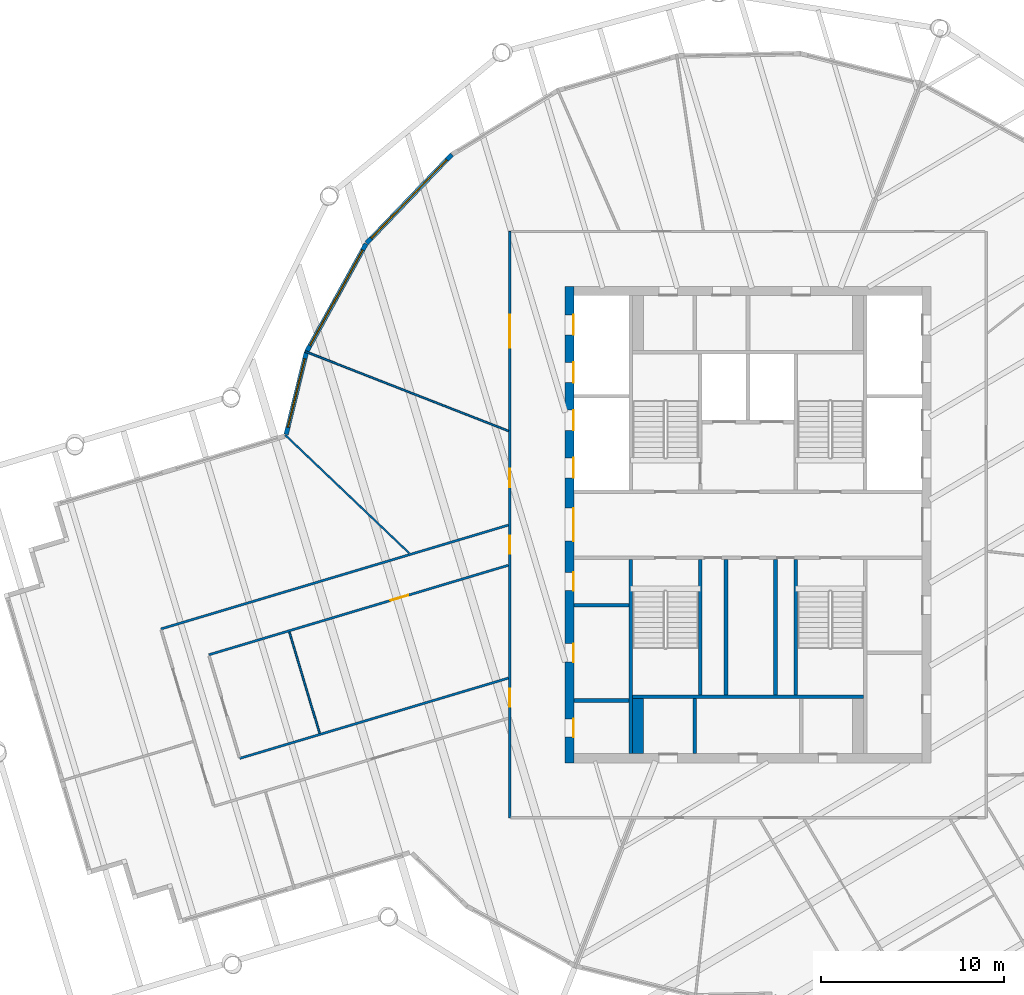
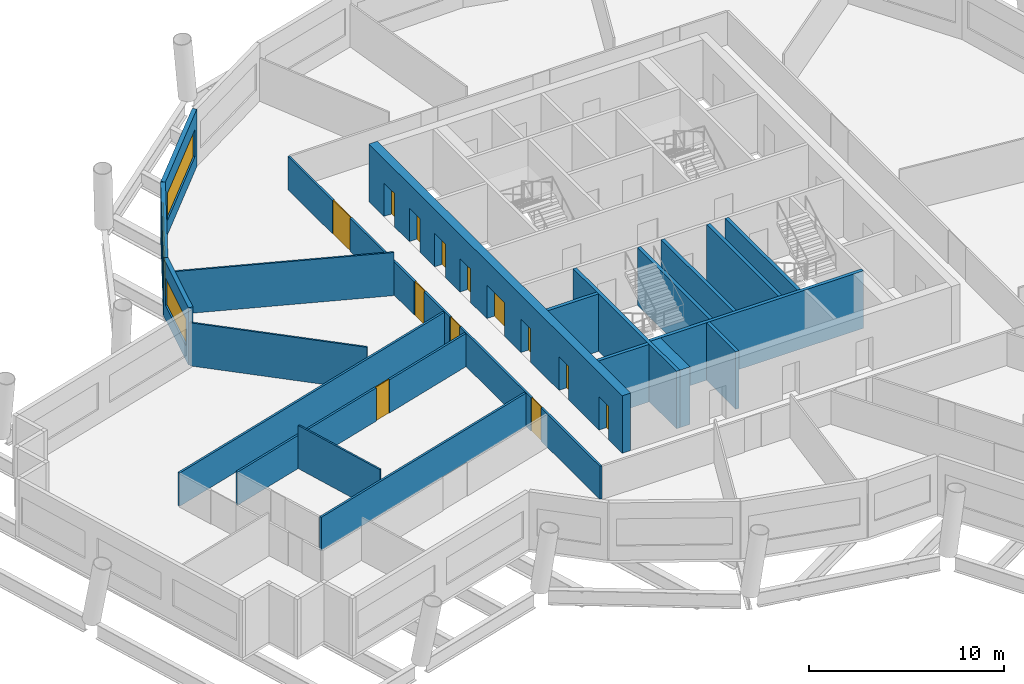
# One storey, part 4 of 11: 21 walls, 13 doors, 3 windows, 16 openings.
"""IFC4 building model written with IfcOpenShell, lengths in metres."""

from ifc_helpers import new_model, si_unit, direction, frame, frame_2d, origin, place, context, subcontext, project, spatial, rectangle, extrude, material, layer, layer_set, type_object, element, fill, save


model = new_model("IFC4")

# Units and contexts
model_context = context("Model", 3, precision=1e-05, world=origin(), true_north=direction((0.0, 1.0)))
body_context = subcontext(model_context, "Body", "Model", "MODEL_VIEW")
ifc_project = project(units=[si_unit("LENGTHUNIT", "METRE"), si_unit("AREAUNIT", "SQUARE_METRE"), si_unit("VOLUMEUNIT", "CUBIC_METRE"), si_unit("PLANEANGLEUNIT", "RADIAN"), si_unit("MASSUNIT", "GRAM", prefix="KILO")], contexts=[model_context])

# Site, building, storey
site_placement = place(None, origin())
site = spatial("IfcSite", under=ifc_project, at=site_placement, CompositionType="ELEMENT")
building_placement = place(site_placement, origin())
building = spatial("IfcBuilding", under=site, at=building_placement, Name="Tarsis Ring Headquarters", CompositionType="ELEMENT")
storey_placement = place(building_placement, frame((0.0, 0.0, 350.89990234375)))
storey = spatial("IfcBuildingStorey", under=building, at=storey_placement, Name="L83", CompositionType="ELEMENT", Elevation=350.89990234375)

# Walls
ifc_material_1 = material(Name="Blockwork", Category="masonry")
ifc_layer_1 = layer(ifc_material_1, 0.199951171875)
ifc_layer_set_1 = layer_set([ifc_layer_1], Name="Core blockwork wall 200")
wall_type_1 = type_object("IfcWallType", Name="Core blockwork wall 200", PredefinedType="PARTITIONING", material=ifc_layer_set_1)
for number, where, z_axis, x_axis, name in (
    (1, (-9.5, -9.60009765625, 0.0), (0.0, 0.0, 1.0), (1.0, 0.0, 0.0), "Core partition WD1"),
    (2, (-9.5, -4.39990234375, 0.0), (0.0, 0.0, 1.0), (1.0, 0.0, 0.0), "Core partition WD3"),
    (3, (-2.89990234375, -12.5, 0.0), (0.0, 0.0, 1.0), (0.0, 1.0, 0.0), "Core partition SD1"),
):
    element("IfcWall", number, at=place(storey_placement, frame(where, z_axis=z_axis, x_axis=x_axis)), inside=storey, type_object=wall_type_1, Name=name, PredefinedType="PARTITIONING", context=body_context, shape_type="SweptSolid", body=[
        extrude(rectangle(XDim=3.0, YDim=0.199951171875, at=frame_2d((1.5, 0.0))), origin(), (0.0, 0.0, 1.0), 3.60009765625),
    ])
for number, where, z_axis, x_axis, name in (
    (4, (-1.199951171875, -9.300048828125, 0.0), (0.0, 0.0, 1.0), (0.0, 1.0, 0.0), "Core partition SV1"),
    (5, (1.5, -9.300048828125, 0.0), (0.0, 0.0, 1.0), (0.0, 1.0, 0.0), "Core partition SV2"),
):
    element("IfcWall", number, at=place(storey_placement, frame(where, z_axis=z_axis, x_axis=x_axis)), inside=storey, type_object=wall_type_1, Name=name, PredefinedType="PARTITIONING", context=body_context, shape_type="SweptSolid", body=[
        extrude(rectangle(XDim=7.400146484375, YDim=0.199951171875, at=frame_2d((3.7001953125, 0.0))), origin(), (0.0, 0.0, 1.0), 3.60009765625),
    ])

# Wall, openings, doors
ifc_material_2 = material(Name="Concrete C50/60", Category="concrete")
ifc_layer_2 = layer(ifc_material_2, 0.5)
ifc_layer_set_2 = layer_set([ifc_layer_2], Name="Core wall 500 C50/60")
wall_type_2 = type_object("IfcWallType", Name="Core wall 500 C50/60", PredefinedType="SHEAR", material=ifc_layer_set_2)
wall_1_placement = place(storey_placement, frame((-9.75, -13.0, 0.0), z_axis=(0.0, 0.0, 1.0), x_axis=(0.0, 1.0, 0.0)))
wall_1 = element("IfcWall", 6, at=wall_1_placement, inside=storey, type_object=wall_type_2, Name="Core wall OW", PredefinedType="SHEAR", context=body_context, shape_type="SweptSolid", body=[
    extrude(rectangle(XDim=26.0, YDim=0.5, at=frame_2d((13.0, 0.0))), origin(), (0.0, 0.0, 1.0), 3.60009765625),
])
opening_1_placement = place(wall_1_placement, frame((1.39990234375, 0.0, 0.0)))
opening_1 = element("IfcOpeningElement", 7, at=opening_1_placement, cuts=wall_1, Name="Opening L83-C01", PredefinedType="OPENING", context=body_context, shape_type="SweptSolid", body=[
    extrude(rectangle(XDim=1.0, YDim=2.10009765625, at=frame_2d((0.5, 1.050048828125))), frame((0.0, 0.260009765625, 0.0), z_axis=(0.0, -1.0, 0.0), x_axis=(1.0, 0.0, 0.0)), (0.0, 0.0, 1.0), 0.52001953125),
])
opening_2_placement = place(wall_1_placement, frame((5.5, 0.0, 0.0)))
opening_2 = element("IfcOpeningElement", 8, at=opening_2_placement, cuts=wall_1, Name="Opening L83-C02", PredefinedType="OPENING", context=body_context, shape_type="SweptSolid", body=[
    extrude(rectangle(XDim=1.0, YDim=2.10009765625, at=frame_2d((0.5, 1.050048828125))), frame((0.0, 0.260009765625, 0.0), z_axis=(0.0, -1.0, 0.0), x_axis=(1.0, 0.0, 0.0)), (0.0, 0.0, 1.0), 0.52001953125),
])
opening_3_placement = place(wall_1_placement, frame((9.39990234375, 0.0, 0.0)))
opening_3 = element("IfcOpeningElement", 9, at=opening_3_placement, cuts=wall_1, Name="Opening L83-C03", PredefinedType="OPENING", context=body_context, shape_type="SweptSolid", body=[
    extrude(rectangle(XDim=1.0, YDim=2.10009765625, at=frame_2d((0.5, 1.050048828125))), frame((0.0, 0.260009765625, 0.0), z_axis=(0.0, -1.0, 0.0), x_axis=(1.0, 0.0, 0.0)), (0.0, 0.0, 1.0), 0.52001953125),
])
opening_4_placement = place(wall_1_placement, frame((12.10009765625, 0.0, 0.0)))
opening_4 = element("IfcOpeningElement", 10, at=opening_4_placement, cuts=wall_1, Name="Opening L83-C04", PredefinedType="OPENING", context=body_context, shape_type="SweptSolid", body=[
    extrude(rectangle(XDim=1.800048828125, YDim=2.10009765625, at=frame_2d((0.89990234375, 1.050048828125))), frame((0.0, 0.260009765625, 0.0), z_axis=(0.0, -1.0, 0.0), x_axis=(1.0, 0.0, 0.0)), (0.0, 0.0, 1.0), 0.52001953125),
])
opening_5_placement = place(wall_1_placement, frame((15.550048828125, 0.0, 0.0)))
opening_5 = element("IfcOpeningElement", 11, at=opening_5_placement, cuts=wall_1, Name="Opening LD-HR1", PredefinedType="OPENING", context=body_context, shape_type="SweptSolid", body=[
    extrude(rectangle(XDim=1.10009765625, YDim=2.10009765625, at=frame_2d((0.550048828125, 1.050048828125))), frame((0.0, 0.260009765625, 0.0), z_axis=(0.0, -1.0, 0.0), x_axis=(1.0, 0.0, 0.0)), (0.0, 0.0, 1.0), 0.52001953125),
])
opening_6_placement = place(wall_1_placement, frame((18.14990234375, 0.0, 0.0)))
opening_6 = element("IfcOpeningElement", 12, at=opening_6_placement, cuts=wall_1, Name="Opening LD-HR2", PredefinedType="OPENING", context=body_context, shape_type="SweptSolid", body=[
    extrude(rectangle(XDim=1.10009765625, YDim=2.10009765625, at=frame_2d((0.550048828125, 1.050048828125))), frame((0.0, 0.260009765625, 0.0), z_axis=(0.0, -1.0, 0.0), x_axis=(1.0, 0.0, 0.0)), (0.0, 0.0, 1.0), 0.52001953125),
])
opening_7_placement = place(wall_1_placement, frame((20.75, 0.0, 0.0)))
opening_7 = element("IfcOpeningElement", 13, at=opening_7_placement, cuts=wall_1, Name="Opening LD-HR3", PredefinedType="OPENING", context=body_context, shape_type="SweptSolid", body=[
    extrude(rectangle(XDim=1.10009765625, YDim=2.10009765625, at=frame_2d((0.550048828125, 1.050048828125))), frame((0.0, 0.260009765625, 0.0), z_axis=(0.0, -1.0, 0.0), x_axis=(1.0, 0.0, 0.0)), (0.0, 0.0, 1.0), 0.52001953125),
])
opening_8_placement = place(wall_1_placement, frame((23.35009765625, 0.0, 0.0)))
opening_8 = element("IfcOpeningElement", 14, at=opening_8_placement, cuts=wall_1, Name="Opening LD-HR4", PredefinedType="OPENING", context=body_context, shape_type="SweptSolid", body=[
    extrude(rectangle(XDim=1.10009765625, YDim=2.10009765625, at=frame_2d((0.550048828125, 1.050048828125))), frame((0.0, 0.260009765625, 0.0), z_axis=(0.0, -1.0, 0.0), x_axis=(1.0, 0.0, 0.0)), (0.0, 0.0, 1.0), 0.52001953125),
])
ifc_material_3 = material(Name="Steel S355", Category="steel")
door_type_1 = type_object("IfcDoorType", Name="Core entry door 1800x2100", OperationType="DOUBLE_DOOR_SINGLE_SWING", PredefinedType="DOOR", material=ifc_material_3)
door_1_placement = place(opening_4_placement, origin())
door_1 = element("IfcDoor", 15, at=door_1_placement, inside=storey, type_object=door_type_1, Name="Core entry door L83", OperationType="DOUBLE_DOOR_SINGLE_SWING", OverallHeight=2.10009765625, OverallWidth=1.800048828125, PredefinedType="DOOR", context=body_context, shape_type="SweptSolid", body=[
    extrude(rectangle(XDim=1.800048828125, YDim=2.10009765625, at=frame_2d((0.89990234375, 1.050048828125))), frame((0.0, -0.2001953125, 0.0), z_axis=(0.0, -1.0, 0.0), x_axis=(1.0, 0.0, 0.0)), (0.0, 0.0, 1.0), 0.050048828125),
])
fill(opening_4, door_1)
door_type_2 = type_object("IfcDoorType", Name="Core room door 1000x2100", OperationType="SINGLE_SWING_LEFT", PredefinedType="DOOR", material=ifc_material_3)
door_2_placement = place(opening_1_placement, origin())
door_2 = element("IfcDoor", 16, at=door_2_placement, inside=storey, type_object=door_type_2, Name="Core room door L83", OperationType="SINGLE_SWING_LEFT", OverallHeight=2.10009765625, OverallWidth=1.0, PredefinedType="DOOR", context=body_context, shape_type="SweptSolid", body=[
    extrude(rectangle(XDim=1.0, YDim=2.10009765625, at=frame_2d((0.5, 1.050048828125))), frame((0.0, -0.2001953125, 0.0), z_axis=(0.0, -1.0, 0.0), x_axis=(1.0, 0.0, 0.0)), (0.0, 0.0, 1.0), 0.050048828125),
])
fill(opening_1, door_2)
door_3_placement = place(opening_2_placement, origin())
door_3 = element("IfcDoor", 17, at=door_3_placement, inside=storey, type_object=door_type_2, Name="Core room door L83", OperationType="SINGLE_SWING_LEFT", OverallHeight=2.10009765625, OverallWidth=1.0, PredefinedType="DOOR", context=body_context, shape_type="SweptSolid", body=[
    extrude(rectangle(XDim=1.0, YDim=2.10009765625, at=frame_2d((0.5, 1.050048828125))), frame((0.0, -0.2001953125, 0.0), z_axis=(0.0, -1.0, 0.0), x_axis=(1.0, 0.0, 0.0)), (0.0, 0.0, 1.0), 0.050048828125),
])
fill(opening_2, door_3)
door_4_placement = place(opening_3_placement, origin())
door_4 = element("IfcDoor", 18, at=door_4_placement, inside=storey, type_object=door_type_2, Name="Core room door L83", OperationType="SINGLE_SWING_LEFT", OverallHeight=2.10009765625, OverallWidth=1.0, PredefinedType="DOOR", context=body_context, shape_type="SweptSolid", body=[
    extrude(rectangle(XDim=1.0, YDim=2.10009765625, at=frame_2d((0.5, 1.050048828125))), frame((0.0, -0.2001953125, 0.0), z_axis=(0.0, -1.0, 0.0), x_axis=(1.0, 0.0, 0.0)), (0.0, 0.0, 1.0), 0.050048828125),
])
fill(opening_3, door_4)
door_type_3 = type_object("IfcDoorType", Name="Landing door 1100x2100", OperationType="SLIDING_TO_LEFT", PredefinedType="DOOR", material=ifc_material_3)
door_5_placement = place(opening_5_placement, origin())
door_5 = element("IfcDoor", 19, at=door_5_placement, inside=storey, type_object=door_type_3, Name="Landing door HR1 L83", OperationType="SLIDING_TO_LEFT", OverallHeight=2.10009765625, OverallWidth=1.10009765625, PredefinedType="DOOR", context=body_context, shape_type="SweptSolid", body=[
    extrude(rectangle(XDim=1.10009765625, YDim=2.10009765625, at=frame_2d((0.550048828125, 1.050048828125))), frame((0.0, -0.2001953125, 0.0), z_axis=(0.0, -1.0, 0.0), x_axis=(1.0, 0.0, 0.0)), (0.0, 0.0, 1.0), 0.050048828125),
])
fill(opening_5, door_5)
door_6_placement = place(opening_6_placement, origin())
door_6 = element("IfcDoor", 20, at=door_6_placement, inside=storey, type_object=door_type_3, Name="Landing door HR2 L83", OperationType="SLIDING_TO_LEFT", OverallHeight=2.10009765625, OverallWidth=1.10009765625, PredefinedType="DOOR", context=body_context, shape_type="SweptSolid", body=[
    extrude(rectangle(XDim=1.10009765625, YDim=2.10009765625, at=frame_2d((0.550048828125, 1.050048828125))), frame((0.0, -0.2001953125, 0.0), z_axis=(0.0, -1.0, 0.0), x_axis=(1.0, 0.0, 0.0)), (0.0, 0.0, 1.0), 0.050048828125),
])
fill(opening_6, door_6)
door_7_placement = place(opening_7_placement, origin())
door_7 = element("IfcDoor", 21, at=door_7_placement, inside=storey, type_object=door_type_3, Name="Landing door HR3 L83", OperationType="SLIDING_TO_LEFT", OverallHeight=2.10009765625, OverallWidth=1.10009765625, PredefinedType="DOOR", context=body_context, shape_type="SweptSolid", body=[
    extrude(rectangle(XDim=1.10009765625, YDim=2.10009765625, at=frame_2d((0.550048828125, 1.050048828125))), frame((0.0, -0.2001953125, 0.0), z_axis=(0.0, -1.0, 0.0), x_axis=(1.0, 0.0, 0.0)), (0.0, 0.0, 1.0), 0.050048828125),
])
fill(opening_7, door_7)
door_8_placement = place(opening_8_placement, origin())
door_8 = element("IfcDoor", 22, at=door_8_placement, inside=storey, type_object=door_type_3, Name="Landing door HR4 L83", OperationType="SLIDING_TO_LEFT", OverallHeight=2.10009765625, OverallWidth=1.10009765625, PredefinedType="DOOR", context=body_context, shape_type="SweptSolid", body=[
    extrude(rectangle(XDim=1.10009765625, YDim=2.10009765625, at=frame_2d((0.550048828125, 1.050048828125))), frame((0.0, -0.2001953125, 0.0), z_axis=(0.0, -1.0, 0.0), x_axis=(1.0, 0.0, 0.0)), (0.0, 0.0, 1.0), 0.050048828125),
])
fill(opening_8, door_8)

# Walls
ifc_material_4 = material(Name="Gypsum board on steel studs", Category="steel")
ifc_layer_3 = layer(ifc_material_4, 0.10009765625)
ifc_layer_set_3 = layer_set([ifc_layer_3], Name="FL partition 100 unrated")
wall_type_3 = type_object("IfcWallType", Name="FL partition 100 unrated", PredefinedType="PARTITIONING", material=ifc_layer_set_3)
wall_2_placement = place(storey_placement, frame((-24.16552734375, 9.450927734375, 0.0), z_axis=(0.0, 0.0, 1.0), x_axis=(0.931309306221, -0.364229290621, 0.0)))
element("IfcWall", 23, at=wall_2_placement, inside=storey, type_object=wall_type_3, Name="Partition PW3", PredefinedType="PARTITIONING", context=body_context, shape_type="SweptSolid", body=[
    extrude(rectangle(XDim=11.9091796875, YDim=0.10009765625, at=frame_2d((5.95458984375, 0.0))), origin(), (0.0, 0.0, 1.0), 2.7001953125),
])
wall_3_placement = place(storey_placement, frame((-25.2626953125, 4.895751953125, 0.0), z_axis=(0.0, 0.0, 1.0), x_axis=(0.724062864229, -0.689733983971, 0.0)))
element("IfcWall", 24, at=wall_3_placement, inside=storey, type_object=wall_type_3, Name="Partition PW3", PredefinedType="PARTITIONING", context=body_context, shape_type="SweptSolid", body=[
    extrude(rectangle(XDim=9.359130859375, YDim=0.10009765625, at=frame_2d((4.6796875, 0.0))), origin(), (0.0, 0.0, 1.0), 2.7001953125),
])
wall_4_placement = place(storey_placement, frame((-25.029296875, -5.86279296875, 0.0), z_axis=(0.0, 0.0, 1.0), x_axis=(0.286356145214, -0.958123247864, 0.0)))
element("IfcWall", 25, at=wall_4_placement, inside=storey, type_object=wall_type_3, Name="Partition PW3", PredefinedType="PARTITIONING", context=body_context, shape_type="SweptSolid", body=[
    extrude(rectangle(XDim=5.760009765625, YDim=0.10009765625, at=frame_2d((2.8798828125, 0.0))), origin(), (0.0, 0.0, 1.0), 2.7001953125),
])

# Wall, openings, doors
ifc_layer_4 = layer(ifc_material_4, 0.125)
ifc_layer_set_4 = layer_set([ifc_layer_4], Name="FL partition 125 EI 60 H2080")
wall_type_4 = type_object("IfcWallType", Name="FL partition 125 EI 60 H2080", PredefinedType="PARTITIONING", material=ifc_layer_set_4)
wall_5_placement = place(storey_placement, frame((-13.0, -16.0, 0.0), z_axis=(0.0, 0.0, 1.0), x_axis=(0.0, 1.0, 0.0)))
wall_5 = element("IfcWall", 26, at=wall_5_placement, inside=storey, type_object=wall_type_4, Name="Partition PW1H208", PredefinedType="PARTITIONING", context=body_context, shape_type="SweptSolid", body=[
    extrude(rectangle(XDim=32.0, YDim=0.125, at=frame_2d((16.0, 0.0))), origin(), (0.0, 0.0, 1.0), 2.080078125),
])
opening_9_placement = place(wall_5_placement, frame((18.040771484375, 0.0, 0.0)))
opening_9 = element("IfcOpeningElement", 27, at=opening_9_placement, cuts=wall_5, Name="Opening D83.03", PredefinedType="OPENING", context=body_context, shape_type="SweptSolid", body=[
    extrude(rectangle(XDim=1.0, YDim=2.10009765625, at=frame_2d((0.5, 1.050048828125))), frame((0.0, 0.072509765625, 0.0), z_axis=(0.0, -1.0, 0.0), x_axis=(1.0, 0.0, 0.0)), (0.0, 0.0, 1.0), 0.14501953125),
])
opening_10_placement = place(wall_5_placement, frame((25.64208984375, 0.0, 0.0)))
opening_10 = element("IfcOpeningElement", 28, at=opening_10_placement, cuts=wall_5, Name="Opening D83.04", PredefinedType="OPENING", context=body_context, shape_type="SweptSolid", body=[
    extrude(rectangle(XDim=1.800048828125, YDim=2.10009765625, at=frame_2d((0.89990234375, 1.050048828125))), frame((0.0, 0.072509765625, 0.0), z_axis=(0.0, -1.0, 0.0), x_axis=(1.0, 0.0, 0.0)), (0.0, 0.0, 1.0), 0.14501953125),
])
opening_11_placement = place(wall_5_placement, frame((6.0517578125, 0.0, 0.0)))
opening_11 = element("IfcOpeningElement", 29, at=opening_11_placement, cuts=wall_5, Name="Opening D83.20", PredefinedType="OPENING", context=body_context, shape_type="SweptSolid", body=[
    extrude(rectangle(XDim=1.0, YDim=2.10009765625, at=frame_2d((0.5, 1.050048828125))), frame((0.0, 0.072509765625, 0.0), z_axis=(0.0, -1.0, 0.0), x_axis=(1.0, 0.0, 0.0)), (0.0, 0.0, 1.0), 0.14501953125),
])
opening_12_placement = place(wall_5_placement, frame((14.4013671875, 0.0, 0.0)))
opening_12 = element("IfcOpeningElement", 30, at=opening_12_placement, cuts=wall_5, Name="Opening D83.21", PredefinedType="OPENING", context=body_context, shape_type="SweptSolid", body=[
    extrude(rectangle(XDim=1.0, YDim=2.10009765625, at=frame_2d((0.5, 1.050048828125))), frame((0.0, 0.072509765625, 0.0), z_axis=(0.0, -1.0, 0.0), x_axis=(1.0, 0.0, 0.0)), (0.0, 0.0, 1.0), 0.14501953125),
])
ifc_material_5 = material(Name="Fire-rated timber door leaf in steel frame", Category="steel")
door_type_4 = type_object("IfcDoorType", Name="FL door FD60-1000", OperationType="NOTDEFINED", PredefinedType="DOOR", material=ifc_material_5)
door_9_placement = place(opening_9_placement, origin())
door_9 = element("IfcDoor", 31, at=door_9_placement, inside=storey, type_object=door_type_4, Name="Door D83.03", OperationType="SINGLE_SWING_RIGHT", OverallHeight=2.10009765625, OverallWidth=1.0, PredefinedType="DOOR", context=body_context, shape_type="SweptSolid", body=[
    extrude(rectangle(XDim=1.0, YDim=2.10009765625, at=frame_2d((0.5, 1.050048828125))), frame((0.0, 0.02490234375, 0.0), z_axis=(0.0, -1.0, 0.0), x_axis=(1.0, 0.0, 0.0)), (0.0, 0.0, 1.0), 0.050048828125),
])
fill(opening_9, door_9)
door_10_placement = place(opening_11_placement, origin())
door_10 = element("IfcDoor", 32, at=door_10_placement, inside=storey, type_object=door_type_4, Name="Door D83.20", OperationType="SINGLE_SWING_LEFT", OverallHeight=2.10009765625, OverallWidth=1.0, PredefinedType="DOOR", context=body_context, shape_type="SweptSolid", body=[
    extrude(rectangle(XDim=1.0, YDim=2.10009765625, at=frame_2d((0.5, 1.050048828125))), frame((0.0, 0.02490234375, 0.0), z_axis=(0.0, -1.0, 0.0), x_axis=(1.0, 0.0, 0.0)), (0.0, 0.0, 1.0), 0.050048828125),
])
fill(opening_11, door_10)
door_11_placement = place(opening_12_placement, origin())
door_11 = element("IfcDoor", 33, at=door_11_placement, inside=storey, type_object=door_type_4, Name="Door D83.21", OperationType="SINGLE_SWING_RIGHT", OverallHeight=2.10009765625, OverallWidth=1.0, PredefinedType="DOOR", context=body_context, shape_type="SweptSolid", body=[
    extrude(rectangle(XDim=1.0, YDim=2.10009765625, at=frame_2d((0.5, 1.050048828125))), frame((0.0, 0.02490234375, 0.0), z_axis=(0.0, -1.0, 0.0), x_axis=(1.0, 0.0, 0.0)), (0.0, 0.0, 1.0), 0.050048828125),
])
fill(opening_12, door_11)
door_type_5 = type_object("IfcDoorType", Name="FL door FD60-1800", OperationType="DOUBLE_DOOR_SINGLE_SWING", PredefinedType="DOOR", material=ifc_material_5)
door_12_placement = place(opening_10_placement, origin())
door_12 = element("IfcDoor", 34, at=door_12_placement, inside=storey, type_object=door_type_5, Name="Door D83.04", OperationType="DOUBLE_DOOR_SINGLE_SWING", OverallHeight=2.10009765625, OverallWidth=1.800048828125, PredefinedType="DOOR", context=body_context, shape_type="SweptSolid", body=[
    extrude(rectangle(XDim=1.800048828125, YDim=2.10009765625, at=frame_2d((0.89990234375, 1.050048828125))), frame((0.0, 0.02490234375, 0.0), z_axis=(0.0, -1.0, 0.0), x_axis=(1.0, 0.0, 0.0)), (0.0, 0.0, 1.0), 0.050048828125),
])
fill(opening_10, door_12)

# Wall
wall_6_placement = place(storey_placement, frame((-32.04150390625, -5.693603515625, 0.0), z_axis=(0.0, 0.0, 1.0), x_axis=(0.958124505376, 0.286351937652, 0.0)))
element("IfcWall", 35, at=wall_6_placement, inside=storey, type_object=wall_type_4, Name="Partition PW1H208", PredefinedType="PARTITIONING", context=body_context, shape_type="SweptSolid", body=[
    extrude(rectangle(XDim=19.793701171875, YDim=0.125, at=frame_2d((9.89697265625, 0.0))), origin(), (0.0, 0.0, 1.0), 2.080078125),
])

# Wall, opening, door
wall_7_placement = place(storey_placement, frame((-29.427978515625, -7.1044921875, 0.0), z_axis=(0.0, 0.0, 1.0), x_axis=(0.958123042109, 0.286356833653, 0.0)))
wall_7 = element("IfcWall", 36, at=wall_7_placement, inside=storey, type_object=wall_type_4, Name="Partition PW1H208", PredefinedType="PARTITIONING", context=body_context, shape_type="SweptSolid", body=[
    extrude(rectangle(XDim=17.06591796875, YDim=0.125, at=frame_2d((8.532958984375, 0.0))), origin(), (0.0, 0.0, 1.0), 2.080078125),
])
opening_13_placement = place(wall_7_placement, frame((10.357421875, 0.0, 0.0)))
opening_13 = element("IfcOpeningElement", 37, at=opening_13_placement, cuts=wall_7, Name="Opening D83.14", PredefinedType="OPENING", context=body_context, shape_type="SweptSolid", body=[
    extrude(rectangle(XDim=1.0, YDim=2.10009765625, at=frame_2d((0.5, 1.050048828125))), frame((0.0, 0.072509765625, 0.0), z_axis=(0.0, -1.0, 0.0), x_axis=(1.0, 0.0, 0.0)), (0.0, 0.0, 1.0), 0.14501953125),
])
door_13_placement = place(opening_13_placement, origin())
door_13 = element("IfcDoor", 38, at=door_13_placement, inside=storey, type_object=door_type_4, Name="Door D83.14", OperationType="SINGLE_SWING_LEFT", OverallHeight=2.10009765625, OverallWidth=1.0, PredefinedType="DOOR", context=body_context, shape_type="SweptSolid", body=[
    extrude(rectangle(XDim=1.0, YDim=2.10009765625, at=frame_2d((0.5, 1.050048828125))), frame((0.0, 0.02490234375, 0.0), z_axis=(0.0, -1.0, 0.0), x_axis=(1.0, 0.0, 0.0)), (0.0, 0.0, 1.0), 0.050048828125),
])
fill(opening_13, door_13)

# Wall
wall_8_placement = place(storey_placement, frame((-27.73828125, -12.75732421875, 0.0), z_axis=(0.0, 0.0, 1.0), x_axis=(0.958120861956, 0.286364128139, 0.0)))
element("IfcWall", 39, at=wall_8_placement, inside=storey, type_object=wall_type_4, Name="Partition PW1H208", PredefinedType="PARTITIONING", context=body_context, shape_type="SweptSolid", body=[
    extrude(rectangle(XDim=15.302490234375, YDim=0.125, at=frame_2d((7.6513671875, 0.0))), origin(), (0.0, 0.0, 1.0), 2.080078125),
])

# Wall, opening, window
ifc_material_6 = material(Name="Terracotta clad insulated panel wall", Category="masonry")
ifc_layer_5 = layer(ifc_material_6, 0.25)
ifc_layer_set_5 = layer_set([ifc_layer_5], Name="Facade wall terracotta panel 250")
wall_type_5 = type_object("IfcWallType", Name="Facade wall terracotta panel 250", PredefinedType="STANDARD", material=ifc_layer_set_5)
wall_9_placement = place(storey_placement, frame((-16.167724609375, 20.19775390625, 0.0), z_axis=(0.0, 0.0, 1.0), x_axis=(-0.6928916421, -0.721041727161, 0.0)))
wall_9 = element("IfcWall", 40, at=wall_9_placement, inside=storey, type_object=wall_type_5, Name="External wall L83-28", PredefinedType="STANDARD", context=body_context, shape_type="SweptSolid", body=[
    extrude(rectangle(XDim=6.721435546875, YDim=0.25, at=frame_2d((3.36083984375, 0.0))), origin(), (0.0, 0.0, 1.0), 3.60009765625),
])
opening_14_placement = place(wall_9_placement, frame((0.3857421875, 0.0, 0.89990234375)))
opening_14 = element("IfcOpeningElement", 41, at=opening_14_placement, cuts=wall_9, Name="Opening WN07", PredefinedType="OPENING", context=body_context, shape_type="SweptSolid", body=[
    extrude(rectangle(XDim=5.949951171875, YDim=1.699951171875, at=frame_2d((2.97509765625, 0.85009765625))), frame((0.0, 0.135009765625, 0.0), z_axis=(0.0, -1.0, 0.0), x_axis=(1.0, 0.0, 0.0)), (0.0, 0.0, 1.0), 0.27001953125),
])
ifc_material_7 = material(Name="Aluminium framed double glazing", Category="aluminium")
window_type_1 = type_object("IfcWindowType", Name="Facade window 5950 x 1700", PartitioningType="SINGLE_PANEL", PredefinedType="WINDOW", material=ifc_material_7)
window_1_placement = place(opening_14_placement, origin())
window_1 = element("IfcWindow", 42, at=window_1_placement, inside=storey, type_object=window_type_1, Name="Window L83-28.1", OverallHeight=1.699951171875, OverallWidth=5.949951171875, PartitioningType="SINGLE_PANEL", PredefinedType="WINDOW", context=body_context, shape_type="SweptSolid", body=[
    extrude(rectangle(XDim=5.949951171875, YDim=1.699951171875, at=frame_2d((2.97509765625, 0.85009765625))), frame((0.0, 0.030029296875, 0.0), z_axis=(0.0, -1.0, 0.0), x_axis=(1.0, 0.0, 0.0)), (0.0, 0.0, 1.0), 0.06005859375),
])
fill(opening_14, window_1)

wall_10_placement = place(storey_placement, frame((-20.844482421875, 15.3251953125, 0.0), z_axis=(0.0, 0.0, 1.0), x_axis=(-0.482654792182, -0.875810682502, 0.0)))
wall_10 = element("IfcWall", 43, at=wall_10_placement, inside=storey, type_object=wall_type_5, Name="External wall L83-29", PredefinedType="STANDARD", context=body_context, shape_type="SweptSolid", body=[
    extrude(rectangle(XDim=6.721435546875, YDim=0.25, at=frame_2d((3.36083984375, 0.0))), origin(), (0.0, 0.0, 1.0), 3.60009765625),
])
opening_15_placement = place(wall_10_placement, frame((0.3857421875, 0.0, 0.89990234375)))
opening_15 = element("IfcOpeningElement", 44, at=opening_15_placement, cuts=wall_10, Name="Opening WN07", PredefinedType="OPENING", context=body_context, shape_type="SweptSolid", body=[
    extrude(rectangle(XDim=5.949951171875, YDim=1.699951171875, at=frame_2d((2.97509765625, 0.85009765625))), frame((0.0, 0.135009765625, 0.0), z_axis=(0.0, -1.0, 0.0), x_axis=(1.0, 0.0, 0.0)), (0.0, 0.0, 1.0), 0.27001953125),
])
window_2_placement = place(opening_15_placement, origin())
window_2 = element("IfcWindow", 45, at=window_2_placement, inside=storey, type_object=window_type_1, Name="Window L83-29.1", OverallHeight=1.699951171875, OverallWidth=5.949951171875, PartitioningType="SINGLE_PANEL", PredefinedType="WINDOW", context=body_context, shape_type="SweptSolid", body=[
    extrude(rectangle(XDim=5.949951171875, YDim=1.699951171875, at=frame_2d((2.97509765625, 0.85009765625))), frame((0.0, 0.030029296875, 0.0), z_axis=(0.0, -1.0, 0.0), x_axis=(1.0, 0.0, 0.0)), (0.0, 0.0, 1.0), 0.06005859375),
])
fill(opening_15, window_2)

wall_11_placement = place(storey_placement, frame((-24.1005859375, 9.407958984375, 0.0), z_axis=(0.0, 0.0, 1.0), x_axis=(-0.239548939263, -0.970884290582, 0.0)))
wall_11 = element("IfcWall", 46, at=wall_11_placement, inside=storey, type_object=wall_type_5, Name="External wall L83-30", PredefinedType="STANDARD", context=body_context, shape_type="SweptSolid", body=[
    extrude(rectangle(XDim=4.617919921875, YDim=0.25, at=frame_2d((2.30908203125, 0.0))), origin(), (0.0, 0.0, 1.0), 3.60009765625),
])
opening_16_placement = place(wall_11_placement, frame((0.367431640625, 0.0, 0.89990234375)))
opening_16 = element("IfcOpeningElement", 47, at=opening_16_placement, cuts=wall_11, Name="Opening WN02", PredefinedType="OPENING", context=body_context, shape_type="SweptSolid", body=[
    extrude(rectangle(XDim=3.85009765625, YDim=1.699951171875, at=frame_2d((1.925048828125, 0.85009765625))), frame((0.0, 0.135009765625, 0.0), z_axis=(0.0, -1.0, 0.0), x_axis=(1.0, 0.0, 0.0)), (0.0, 0.0, 1.0), 0.27001953125),
])
window_type_2 = type_object("IfcWindowType", Name="Facade window 3850 x 1700", PartitioningType="SINGLE_PANEL", PredefinedType="WINDOW", material=ifc_material_7)
window_3_placement = place(opening_16_placement, origin())
window_3 = element("IfcWindow", 48, at=window_3_placement, inside=storey, type_object=window_type_2, Name="Window L83-30.1", OverallHeight=1.699951171875, OverallWidth=3.85009765625, PartitioningType="SINGLE_PANEL", PredefinedType="WINDOW", context=body_context, shape_type="SweptSolid", body=[
    extrude(rectangle(XDim=3.85009765625, YDim=1.699951171875, at=frame_2d((1.925048828125, 0.85009765625))), frame((0.0, 0.030029296875, 0.0), z_axis=(0.0, -1.0, 0.0), x_axis=(1.0, 0.0, 0.0)), (0.0, 0.0, 1.0), 0.06005859375),
])
fill(opening_16, window_3)

# Walls
ifc_material_8 = material(Name="Concrete C32/40", Category="concrete")
ifc_layer_6 = layer(ifc_material_8, 0.60009765625)
ifc_layer_set_6 = layer_set([ifc_layer_6], Name="Shaft end wall 600 C32/40")
wall_type_6 = type_object("IfcWallType", Name="Shaft end wall 600 C32/40", PredefinedType="SOLIDWALL", material=ifc_layer_set_6)
wall_12_placement = place(storey_placement, frame((-6.0, -12.5, 0.0), z_axis=(0.0, 0.0, 1.0), x_axis=(0.0, 1.0, 0.0)))
element("IfcWall", 49, at=wall_12_placement, inside=storey, type_object=wall_type_6, Name="Core shaft wall SNE1", PredefinedType="SOLIDWALL", context=body_context, shape_type="SweptSolid", body=[
    extrude(rectangle(XDim=3.0, YDim=0.60009765625, at=frame_2d((1.5, 0.0))), origin(), (0.0, 0.0, 1.0), 3.60009765625),
])
ifc_layer_7 = layer(ifc_material_8, 0.199951171875)
ifc_layer_set_7 = layer_set([ifc_layer_7], Name="Shaft wall 200 C32/40")
wall_type_7 = type_object("IfcWallType", Name="Shaft wall 200 C32/40", PredefinedType="SOLIDWALL", material=ifc_layer_set_7)
wall_13_placement = place(storey_placement, frame((-6.39990234375, -12.5, 0.0), z_axis=(0.0, 0.0, 1.0), x_axis=(0.0, 1.0, 0.0)))
element("IfcWall", 50, at=wall_13_placement, inside=storey, type_object=wall_type_7, Name="Core shaft wall WB1", PredefinedType="SOLIDWALL", context=body_context, shape_type="SweptSolid", body=[
    extrude(rectangle(XDim=10.60009765625, YDim=0.199951171875, at=frame_2d((5.300048828125, 0.0))), origin(), (0.0, 0.0, 1.0), 3.60009765625),
])
wall_14_placement = place(storey_placement, frame((-6.300048828125, -9.39990234375, 0.0), z_axis=(0.0, 0.0, 1.0), x_axis=(1.0, 0.0, 0.0)))
element("IfcWall", 51, at=wall_14_placement, inside=storey, type_object=wall_type_7, Name="Core shaft wall SB", PredefinedType="SOLIDWALL", context=body_context, shape_type="SweptSolid", body=[
    extrude(rectangle(XDim=12.60009765625, YDim=0.199951171875, at=frame_2d((6.300048828125, 0.0))), origin(), (0.0, 0.0, 1.0), 3.60009765625),
])
for number, where, z_axis, x_axis, name in (
    (52, (-2.60009765625, -9.300048828125, 0.0), (0.0, 0.0, 1.0), (0.0, 1.0, 0.0), "Core shaft wall SW3"),
    (53, (2.60009765625, -9.300048828125, 0.0), (0.0, 0.0, 1.0), (0.0, 1.0, 0.0), "Core shaft wall SW4"),
):
    element("IfcWall", number, at=place(storey_placement, frame(where, z_axis=z_axis, x_axis=x_axis)), inside=storey, type_object=wall_type_7, Name=name, PredefinedType="SOLIDWALL", context=body_context, shape_type="SweptSolid", body=[
        extrude(rectangle(XDim=7.400146484375, YDim=0.199951171875, at=frame_2d((3.7001953125, 0.0))), origin(), (0.0, 0.0, 1.0), 3.60009765625),
    ])

save(model, "model.ifc")
